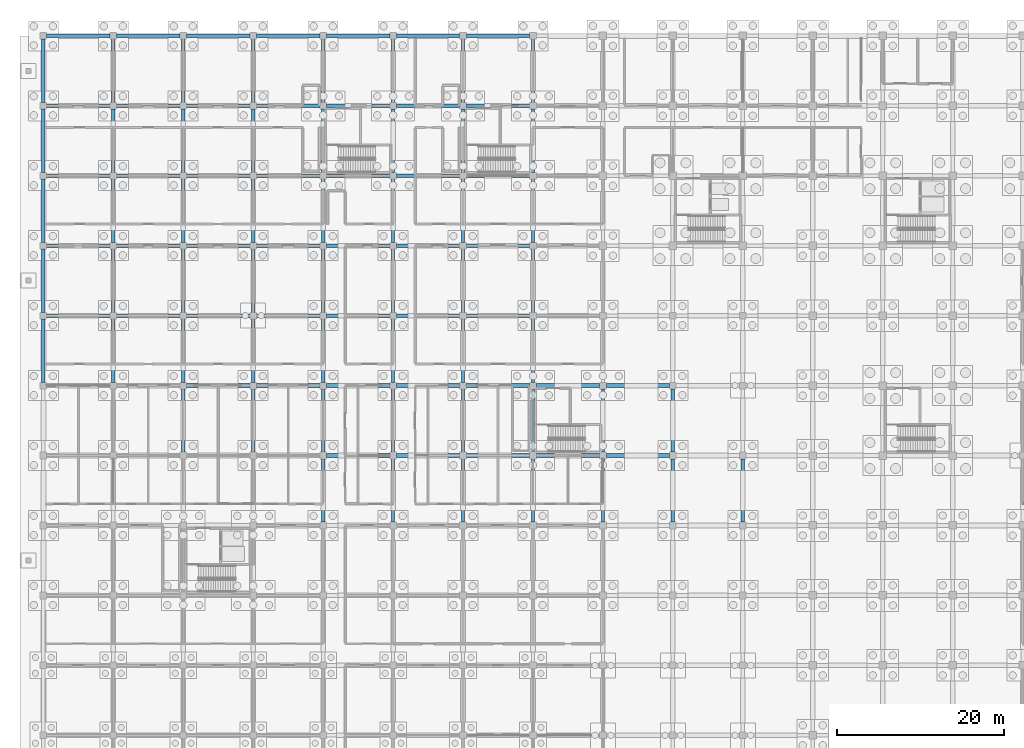
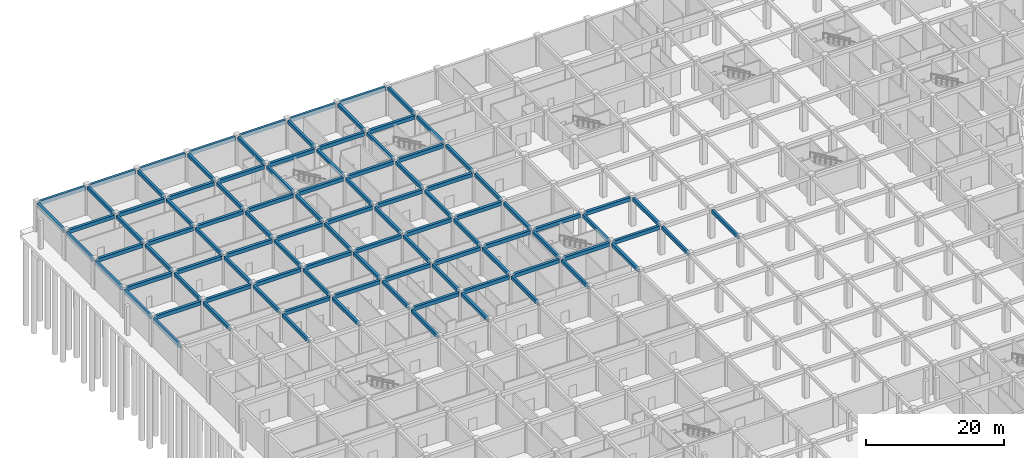
# One storey, part 22 of 65: 102 beams.
"""IFC4 building model written with IfcOpenShell, lengths in metres."""

from ifc_helpers import new_model, si_unit, direction, frame, origin, origin_2d, place, context, subcontext, project, spatial, rectangle, extrude, material, material_profile, profile_set, type_object, element, save


model = new_model("IFC4")

# Units and contexts
model_context = context("Model", 3, precision=1e-05, world=origin(), true_north=direction((0.0, 1.0)))
body_context = subcontext(model_context, "Body", "Model", "MODEL_VIEW")
ifc_project = project(units=[si_unit("LENGTHUNIT", "METRE"), si_unit("AREAUNIT", "SQUARE_METRE"), si_unit("VOLUMEUNIT", "CUBIC_METRE"), si_unit("PLANEANGLEUNIT", "RADIAN"), si_unit("MASSUNIT", "GRAM", prefix="KILO")], contexts=[model_context])

# Site, building, storey
site_placement = place(None, origin())
site = spatial("IfcSite", under=ifc_project, at=site_placement, CompositionType="ELEMENT")
building_placement = place(site_placement, origin())
building = spatial("IfcBuilding", under=site, at=building_placement, Name="Bramfleet General Hospital", CompositionType="ELEMENT")
storey_placement = place(building_placement, frame((0.0, 0.0, -5.39990234375)))
storey = spatial("IfcBuildingStorey", under=building, at=storey_placement, Name="B1", CompositionType="ELEMENT", Elevation=-5.39990234375)

# Beams
ifc_material = material(Name="Concrete C35/45", Category="concrete")
ifc_material_profile_1 = material_profile(ifc_material, rectangle(XDim=0.39990234375, YDim=0.60009765625, at=origin_2d()), Name="RC BM 600x400")
ifc_profile_set_1 = profile_set([ifc_material_profile_1], Name="Concrete C35/45")
beam_type_1 = type_object("IfcBeamType", Name="BM-RC600", PredefinedType="BEAM", material=ifc_profile_set_1)
for number, where, z_axis, x_axis, name in (
    (1, (8.39990234375, 76.0, 4.77978515625), (0.0, 1.0, 0.0), (-1.0, 0.0, 0.0), "B1 Grid Beam Y 01-09"),
    (2, (8.39990234375, 84.39990234375, 4.77978515625), (0.0, 1.0, 0.0), (-1.0, 0.0, 0.0), "B1 Grid Beam Y 01-10"),
):
    element("IfcBeam", number, at=place(storey_placement, frame(where, z_axis=z_axis, x_axis=x_axis)), inside=storey, type_object=beam_type_1, Name=name, PredefinedType="BEAM", context=body_context, shape_type="SweptSolid", body=[
        extrude(rectangle(XDim=0.39990234375, YDim=0.60009765625, at=origin_2d()), origin(), (0.0, 0.0, 1.0), 7.60009765625),
    ])
beam_1_placement = place(storey_placement, frame((8.39990234375, 92.800048828125, 4.77978515625), z_axis=(0.0, 1.0, 0.0), x_axis=(-1.0, 0.0, 0.0)))
element("IfcBeam", 3, at=beam_1_placement, inside=storey, type_object=beam_type_1, Name="B1 Grid Beam Y 01-11", PredefinedType="BEAM", context=body_context, shape_type="SweptSolid", body=[
    extrude(rectangle(XDim=0.39990234375, YDim=0.60009765625, at=origin_2d()), origin(), (0.0, 0.0, 1.0), 7.599853515625),
])
beam_2_placement = place(storey_placement, frame((8.39990234375, 101.199951171875, 4.77978515625), z_axis=(0.0, 1.0, 0.0), x_axis=(-1.0, 0.0, 0.0)))
element("IfcBeam", 4, at=beam_2_placement, inside=storey, type_object=beam_type_1, Name="B1 Grid Beam Y 01-12", PredefinedType="BEAM", context=body_context, shape_type="SweptSolid", body=[
    extrude(rectangle(XDim=0.39990234375, YDim=0.60009765625, at=origin_2d()), origin(), (0.0, 0.0, 1.0), 7.60009765625),
])
for number, where, z_axis, x_axis, name in (
    (5, (8.39990234375, 109.60009765625, 4.77978515625), (0.0, 1.0, 0.0), (-1.0, 0.0, 0.0), "B1 Grid Beam Y 01-13"),
    (6, (16.800048828125, 67.60009765625, 4.77978515625), (0.0, 1.0, 0.0), (-1.0, 0.0, 0.0), "B1 Grid Beam Y 02-08"),
):
    element("IfcBeam", number, at=place(storey_placement, frame(where, z_axis=z_axis, x_axis=x_axis)), inside=storey, type_object=beam_type_1, Name=name, PredefinedType="BEAM", context=body_context, shape_type="SweptSolid", body=[
        extrude(rectangle(XDim=0.39990234375, YDim=0.60009765625, at=origin_2d()), origin(), (0.0, 0.0, 1.0), 7.599853515625),
    ])
for number, where, z_axis, x_axis, name in (
    (7, (16.800048828125, 76.0, 4.77978515625), (0.0, 1.0, 0.0), (-1.0, 0.0, 0.0), "B1 Grid Beam Y 02-09"),
    (8, (16.800048828125, 84.39990234375, 4.77978515625), (0.0, 1.0, 0.0), (-1.0, 0.0, 0.0), "B1 Grid Beam Y 02-10"),
):
    element("IfcBeam", number, at=place(storey_placement, frame(where, z_axis=z_axis, x_axis=x_axis)), inside=storey, type_object=beam_type_1, Name=name, PredefinedType="BEAM", context=body_context, shape_type="SweptSolid", body=[
        extrude(rectangle(XDim=0.39990234375, YDim=0.60009765625, at=origin_2d()), origin(), (0.0, 0.0, 1.0), 7.60009765625),
    ])
beam_3_placement = place(storey_placement, frame((16.800048828125, 92.800048828125, 4.77978515625), z_axis=(0.0, 1.0, 0.0), x_axis=(-1.0, 0.0, 0.0)))
element("IfcBeam", 9, at=beam_3_placement, inside=storey, type_object=beam_type_1, Name="B1 Grid Beam Y 02-11", PredefinedType="BEAM", context=body_context, shape_type="SweptSolid", body=[
    extrude(rectangle(XDim=0.39990234375, YDim=0.60009765625, at=origin_2d()), origin(), (0.0, 0.0, 1.0), 7.599853515625),
])
beam_4_placement = place(storey_placement, frame((16.800048828125, 101.199951171875, 4.77978515625), z_axis=(0.0, 1.0, 0.0), x_axis=(-1.0, 0.0, 0.0)))
element("IfcBeam", 10, at=beam_4_placement, inside=storey, type_object=beam_type_1, Name="B1 Grid Beam Y 02-12", PredefinedType="BEAM", context=body_context, shape_type="SweptSolid", body=[
    extrude(rectangle(XDim=0.39990234375, YDim=0.60009765625, at=origin_2d()), origin(), (0.0, 0.0, 1.0), 7.60009765625),
])
for number, where, z_axis, x_axis, name in (
    (11, (16.800048828125, 109.60009765625, 4.77978515625), (0.0, 1.0, 0.0), (-1.0, 0.0, 0.0), "B1 Grid Beam Y 02-13"),
    (12, (25.199951171875, 67.60009765625, 4.77978515625), (0.0, 1.0, 0.0), (-1.0, 0.0, 0.0), "B1 Grid Beam Y 03-08"),
):
    element("IfcBeam", number, at=place(storey_placement, frame(where, z_axis=z_axis, x_axis=x_axis)), inside=storey, type_object=beam_type_1, Name=name, PredefinedType="BEAM", context=body_context, shape_type="SweptSolid", body=[
        extrude(rectangle(XDim=0.39990234375, YDim=0.60009765625, at=origin_2d()), origin(), (0.0, 0.0, 1.0), 7.599853515625),
    ])
for number, where, z_axis, x_axis, name in (
    (13, (25.199951171875, 76.0, 4.77978515625), (0.0, 1.0, 0.0), (-1.0, 0.0, 0.0), "B1 Grid Beam Y 03-09"),
    (14, (25.199951171875, 84.39990234375, 4.77978515625), (0.0, 1.0, 0.0), (-1.0, 0.0, 0.0), "B1 Grid Beam Y 03-10"),
):
    element("IfcBeam", number, at=place(storey_placement, frame(where, z_axis=z_axis, x_axis=x_axis)), inside=storey, type_object=beam_type_1, Name=name, PredefinedType="BEAM", context=body_context, shape_type="SweptSolid", body=[
        extrude(rectangle(XDim=0.39990234375, YDim=0.60009765625, at=origin_2d()), origin(), (0.0, 0.0, 1.0), 7.60009765625),
    ])
beam_5_placement = place(storey_placement, frame((25.199951171875, 92.800048828125, 4.77978515625), z_axis=(0.0, 1.0, 0.0), x_axis=(-1.0, 0.0, 0.0)))
element("IfcBeam", 15, at=beam_5_placement, inside=storey, type_object=beam_type_1, Name="B1 Grid Beam Y 03-11", PredefinedType="BEAM", context=body_context, shape_type="SweptSolid", body=[
    extrude(rectangle(XDim=0.39990234375, YDim=0.60009765625, at=origin_2d()), origin(), (0.0, 0.0, 1.0), 7.599853515625),
])
beam_6_placement = place(storey_placement, frame((25.199951171875, 101.199951171875, 4.77978515625), z_axis=(0.0, 1.0, 0.0), x_axis=(-1.0, 0.0, 0.0)))
element("IfcBeam", 16, at=beam_6_placement, inside=storey, type_object=beam_type_1, Name="B1 Grid Beam Y 03-12", PredefinedType="BEAM", context=body_context, shape_type="SweptSolid", body=[
    extrude(rectangle(XDim=0.39990234375, YDim=0.60009765625, at=origin_2d()), origin(), (0.0, 0.0, 1.0), 7.60009765625),
])
beam_7_placement = place(storey_placement, frame((25.199951171875, 109.60009765625, 4.77978515625), z_axis=(0.0, 1.0, 0.0), x_axis=(-1.0, 0.0, 0.0)))
element("IfcBeam", 17, at=beam_7_placement, inside=storey, type_object=beam_type_1, Name="B1 Grid Beam Y 03-13", PredefinedType="BEAM", context=body_context, shape_type="SweptSolid", body=[
    extrude(rectangle(XDim=0.39990234375, YDim=0.60009765625, at=origin_2d()), origin(), (0.0, 0.0, 1.0), 7.599853515625),
])
beam_8_placement = place(storey_placement, frame((33.60009765625, 59.199951171875, 4.77978515625), z_axis=(0.0, 1.0, 0.0), x_axis=(-1.0, 0.0, 0.0)))
element("IfcBeam", 18, at=beam_8_placement, inside=storey, type_object=beam_type_1, Name="B1 Grid Beam Y 04-07", PredefinedType="BEAM", context=body_context, shape_type="SweptSolid", body=[
    extrude(rectangle(XDim=0.39990234375, YDim=0.60009765625, at=origin_2d()), origin(), (0.0, 0.0, 1.0), 7.60009765625),
])
beam_9_placement = place(storey_placement, frame((33.60009765625, 67.60009765625, 4.77978515625), z_axis=(0.0, 1.0, 0.0), x_axis=(-1.0, 0.0, 0.0)))
element("IfcBeam", 19, at=beam_9_placement, inside=storey, type_object=beam_type_1, Name="B1 Grid Beam Y 04-08", PredefinedType="BEAM", context=body_context, shape_type="SweptSolid", body=[
    extrude(rectangle(XDim=0.39990234375, YDim=0.60009765625, at=origin_2d()), origin(), (0.0, 0.0, 1.0), 7.599853515625),
])
for number, where, z_axis, x_axis, name in (
    (20, (33.60009765625, 76.0, 4.77978515625), (0.0, 1.0, 0.0), (-1.0, 0.0, 0.0), "B1 Grid Beam Y 04-09"),
    (21, (33.60009765625, 84.39990234375, 4.77978515625), (0.0, 1.0, 0.0), (-1.0, 0.0, 0.0), "B1 Grid Beam Y 04-10"),
):
    element("IfcBeam", number, at=place(storey_placement, frame(where, z_axis=z_axis, x_axis=x_axis)), inside=storey, type_object=beam_type_1, Name=name, PredefinedType="BEAM", context=body_context, shape_type="SweptSolid", body=[
        extrude(rectangle(XDim=0.39990234375, YDim=0.60009765625, at=origin_2d()), origin(), (0.0, 0.0, 1.0), 7.60009765625),
    ])
beam_10_placement = place(storey_placement, frame((33.60009765625, 92.800048828125, 4.77978515625), z_axis=(0.0, 1.0, 0.0), x_axis=(-1.0, 0.0, 0.0)))
element("IfcBeam", 22, at=beam_10_placement, inside=storey, type_object=beam_type_1, Name="B1 Grid Beam Y 04-11", PredefinedType="BEAM", context=body_context, shape_type="SweptSolid", body=[
    extrude(rectangle(XDim=0.39990234375, YDim=0.60009765625, at=origin_2d()), origin(), (0.0, 0.0, 1.0), 7.599853515625),
])
beam_11_placement = place(storey_placement, frame((33.60009765625, 101.199951171875, 4.77978515625), z_axis=(0.0, 1.0, 0.0), x_axis=(-1.0, 0.0, 0.0)))
element("IfcBeam", 23, at=beam_11_placement, inside=storey, type_object=beam_type_1, Name="B1 Grid Beam Y 04-12", PredefinedType="BEAM", context=body_context, shape_type="SweptSolid", body=[
    extrude(rectangle(XDim=0.39990234375, YDim=0.60009765625, at=origin_2d()), origin(), (0.0, 0.0, 1.0), 7.60009765625),
])
beam_12_placement = place(storey_placement, frame((33.60009765625, 109.60009765625, 4.77978515625), z_axis=(0.0, 1.0, 0.0), x_axis=(-1.0, 0.0, 0.0)))
element("IfcBeam", 24, at=beam_12_placement, inside=storey, type_object=beam_type_1, Name="B1 Grid Beam Y 04-13", PredefinedType="BEAM", context=body_context, shape_type="SweptSolid", body=[
    extrude(rectangle(XDim=0.39990234375, YDim=0.60009765625, at=origin_2d()), origin(), (0.0, 0.0, 1.0), 7.599853515625),
])
beam_13_placement = place(storey_placement, frame((42.0, 59.199951171875, 4.77978515625), z_axis=(0.0, 1.0, 0.0), x_axis=(-1.0, 0.0, 0.0)))
element("IfcBeam", 25, at=beam_13_placement, inside=storey, type_object=beam_type_1, Name="B1 Grid Beam Y 05-07", PredefinedType="BEAM", context=body_context, shape_type="SweptSolid", body=[
    extrude(rectangle(XDim=0.39990234375, YDim=0.60009765625, at=origin_2d()), origin(), (0.0, 0.0, 1.0), 7.60009765625),
])
beam_14_placement = place(storey_placement, frame((42.0, 67.60009765625, 4.77978515625), z_axis=(0.0, 1.0, 0.0), x_axis=(-1.0, 0.0, 0.0)))
element("IfcBeam", 26, at=beam_14_placement, inside=storey, type_object=beam_type_1, Name="B1 Grid Beam Y 05-08", PredefinedType="BEAM", context=body_context, shape_type="SweptSolid", body=[
    extrude(rectangle(XDim=0.39990234375, YDim=0.60009765625, at=origin_2d()), origin(), (0.0, 0.0, 1.0), 7.599853515625),
])
for number, where, z_axis, x_axis, name in (
    (27, (42.0, 76.0, 4.77978515625), (0.0, 1.0, 0.0), (-1.0, 0.0, 0.0), "B1 Grid Beam Y 05-09"),
    (28, (42.0, 84.39990234375, 4.77978515625), (0.0, 1.0, 0.0), (-1.0, 0.0, 0.0), "B1 Grid Beam Y 05-10"),
):
    element("IfcBeam", number, at=place(storey_placement, frame(where, z_axis=z_axis, x_axis=x_axis)), inside=storey, type_object=beam_type_1, Name=name, PredefinedType="BEAM", context=body_context, shape_type="SweptSolid", body=[
        extrude(rectangle(XDim=0.39990234375, YDim=0.60009765625, at=origin_2d()), origin(), (0.0, 0.0, 1.0), 7.60009765625),
    ])
beam_15_placement = place(storey_placement, frame((42.0, 92.800048828125, 4.77978515625), z_axis=(0.0, 1.0, 0.0), x_axis=(-1.0, 0.0, 0.0)))
element("IfcBeam", 29, at=beam_15_placement, inside=storey, type_object=beam_type_1, Name="B1 Grid Beam Y 05-11", PredefinedType="BEAM", context=body_context, shape_type="SweptSolid", body=[
    extrude(rectangle(XDim=0.39990234375, YDim=0.60009765625, at=origin_2d()), origin(), (0.0, 0.0, 1.0), 7.599853515625),
])
beam_16_placement = place(storey_placement, frame((42.0, 101.199951171875, 4.77978515625), z_axis=(0.0, 1.0, 0.0), x_axis=(-1.0, 0.0, 0.0)))
element("IfcBeam", 30, at=beam_16_placement, inside=storey, type_object=beam_type_1, Name="B1 Grid Beam Y 05-12", PredefinedType="BEAM", context=body_context, shape_type="SweptSolid", body=[
    extrude(rectangle(XDim=0.39990234375, YDim=0.60009765625, at=origin_2d()), origin(), (0.0, 0.0, 1.0), 7.60009765625),
])
beam_17_placement = place(storey_placement, frame((42.0, 109.60009765625, 4.77978515625), z_axis=(0.0, 1.0, 0.0), x_axis=(-1.0, 0.0, 0.0)))
element("IfcBeam", 31, at=beam_17_placement, inside=storey, type_object=beam_type_1, Name="B1 Grid Beam Y 05-13", PredefinedType="BEAM", context=body_context, shape_type="SweptSolid", body=[
    extrude(rectangle(XDim=0.39990234375, YDim=0.60009765625, at=origin_2d()), origin(), (0.0, 0.0, 1.0), 7.599853515625),
])
beam_18_placement = place(storey_placement, frame((50.39990234375, 59.199951171875, 4.77978515625), z_axis=(0.0, 1.0, 0.0), x_axis=(-1.0, 0.0, 0.0)))
element("IfcBeam", 32, at=beam_18_placement, inside=storey, type_object=beam_type_1, Name="B1 Grid Beam Y 06-07", PredefinedType="BEAM", context=body_context, shape_type="SweptSolid", body=[
    extrude(rectangle(XDim=0.39990234375, YDim=0.60009765625, at=origin_2d()), origin(), (0.0, 0.0, 1.0), 7.60009765625),
])
beam_19_placement = place(storey_placement, frame((50.39990234375, 67.60009765625, 4.77978515625), z_axis=(0.0, 1.0, 0.0), x_axis=(-1.0, 0.0, 0.0)))
element("IfcBeam", 33, at=beam_19_placement, inside=storey, type_object=beam_type_1, Name="B1 Grid Beam Y 06-08", PredefinedType="BEAM", context=body_context, shape_type="SweptSolid", body=[
    extrude(rectangle(XDim=0.39990234375, YDim=0.60009765625, at=origin_2d()), origin(), (0.0, 0.0, 1.0), 7.599853515625),
])
for number, where, z_axis, x_axis, name in (
    (34, (50.39990234375, 76.0, 4.77978515625), (0.0, 1.0, 0.0), (-1.0, 0.0, 0.0), "B1 Grid Beam Y 06-09"),
    (35, (50.39990234375, 84.39990234375, 4.77978515625), (0.0, 1.0, 0.0), (-1.0, 0.0, 0.0), "B1 Grid Beam Y 06-10"),
):
    element("IfcBeam", number, at=place(storey_placement, frame(where, z_axis=z_axis, x_axis=x_axis)), inside=storey, type_object=beam_type_1, Name=name, PredefinedType="BEAM", context=body_context, shape_type="SweptSolid", body=[
        extrude(rectangle(XDim=0.39990234375, YDim=0.60009765625, at=origin_2d()), origin(), (0.0, 0.0, 1.0), 7.60009765625),
    ])
beam_20_placement = place(storey_placement, frame((50.39990234375, 92.800048828125, 4.77978515625), z_axis=(0.0, 1.0, 0.0), x_axis=(-1.0, 0.0, 0.0)))
element("IfcBeam", 36, at=beam_20_placement, inside=storey, type_object=beam_type_1, Name="B1 Grid Beam Y 06-11", PredefinedType="BEAM", context=body_context, shape_type="SweptSolid", body=[
    extrude(rectangle(XDim=0.39990234375, YDim=0.60009765625, at=origin_2d()), origin(), (0.0, 0.0, 1.0), 7.599853515625),
])
beam_21_placement = place(storey_placement, frame((50.39990234375, 101.199951171875, 4.77978515625), z_axis=(0.0, 1.0, 0.0), x_axis=(-1.0, 0.0, 0.0)))
element("IfcBeam", 37, at=beam_21_placement, inside=storey, type_object=beam_type_1, Name="B1 Grid Beam Y 06-12", PredefinedType="BEAM", context=body_context, shape_type="SweptSolid", body=[
    extrude(rectangle(XDim=0.39990234375, YDim=0.60009765625, at=origin_2d()), origin(), (0.0, 0.0, 1.0), 7.60009765625),
])
beam_22_placement = place(storey_placement, frame((50.39990234375, 109.60009765625, 4.77978515625), z_axis=(0.0, 1.0, 0.0), x_axis=(-1.0, 0.0, 0.0)))
element("IfcBeam", 38, at=beam_22_placement, inside=storey, type_object=beam_type_1, Name="B1 Grid Beam Y 06-13", PredefinedType="BEAM", context=body_context, shape_type="SweptSolid", body=[
    extrude(rectangle(XDim=0.39990234375, YDim=0.60009765625, at=origin_2d()), origin(), (0.0, 0.0, 1.0), 7.599853515625),
])
beam_23_placement = place(storey_placement, frame((58.800048828125, 59.199951171875, 4.77978515625), z_axis=(0.0, 1.0, 0.0), x_axis=(-1.0, 0.0, 0.0)))
element("IfcBeam", 39, at=beam_23_placement, inside=storey, type_object=beam_type_1, Name="B1 Grid Beam Y 07-07", PredefinedType="BEAM", context=body_context, shape_type="SweptSolid", body=[
    extrude(rectangle(XDim=0.39990234375, YDim=0.60009765625, at=origin_2d()), origin(), (0.0, 0.0, 1.0), 7.60009765625),
])
beam_24_placement = place(storey_placement, frame((58.800048828125, 67.60009765625, 4.77978515625), z_axis=(0.0, 1.0, 0.0), x_axis=(-1.0, 0.0, 0.0)))
element("IfcBeam", 40, at=beam_24_placement, inside=storey, type_object=beam_type_1, Name="B1 Grid Beam Y 07-08", PredefinedType="BEAM", context=body_context, shape_type="SweptSolid", body=[
    extrude(rectangle(XDim=0.39990234375, YDim=0.60009765625, at=origin_2d()), origin(), (0.0, 0.0, 1.0), 7.599853515625),
])
for number, where, z_axis, x_axis, name in (
    (41, (58.800048828125, 76.0, 4.77978515625), (0.0, 1.0, 0.0), (-1.0, 0.0, 0.0), "B1 Grid Beam Y 07-09"),
    (42, (58.800048828125, 84.39990234375, 4.77978515625), (0.0, 1.0, 0.0), (-1.0, 0.0, 0.0), "B1 Grid Beam Y 07-10"),
):
    element("IfcBeam", number, at=place(storey_placement, frame(where, z_axis=z_axis, x_axis=x_axis)), inside=storey, type_object=beam_type_1, Name=name, PredefinedType="BEAM", context=body_context, shape_type="SweptSolid", body=[
        extrude(rectangle(XDim=0.39990234375, YDim=0.60009765625, at=origin_2d()), origin(), (0.0, 0.0, 1.0), 7.60009765625),
    ])
beam_25_placement = place(storey_placement, frame((58.800048828125, 92.800048828125, 4.77978515625), z_axis=(0.0, 1.0, 0.0), x_axis=(-1.0, 0.0, 0.0)))
element("IfcBeam", 43, at=beam_25_placement, inside=storey, type_object=beam_type_1, Name="B1 Grid Beam Y 07-11", PredefinedType="BEAM", context=body_context, shape_type="SweptSolid", body=[
    extrude(rectangle(XDim=0.39990234375, YDim=0.60009765625, at=origin_2d()), origin(), (0.0, 0.0, 1.0), 7.599853515625),
])
beam_26_placement = place(storey_placement, frame((58.800048828125, 101.199951171875, 4.77978515625), z_axis=(0.0, 1.0, 0.0), x_axis=(-1.0, 0.0, 0.0)))
element("IfcBeam", 44, at=beam_26_placement, inside=storey, type_object=beam_type_1, Name="B1 Grid Beam Y 07-12", PredefinedType="BEAM", context=body_context, shape_type="SweptSolid", body=[
    extrude(rectangle(XDim=0.39990234375, YDim=0.60009765625, at=origin_2d()), origin(), (0.0, 0.0, 1.0), 7.60009765625),
])
beam_27_placement = place(storey_placement, frame((58.800048828125, 109.60009765625, 4.77978515625), z_axis=(0.0, 1.0, 0.0), x_axis=(-1.0, 0.0, 0.0)))
element("IfcBeam", 45, at=beam_27_placement, inside=storey, type_object=beam_type_1, Name="B1 Grid Beam Y 07-13", PredefinedType="BEAM", context=body_context, shape_type="SweptSolid", body=[
    extrude(rectangle(XDim=0.39990234375, YDim=0.60009765625, at=origin_2d()), origin(), (0.0, 0.0, 1.0), 7.599853515625),
])
beam_28_placement = place(storey_placement, frame((67.199951171875, 59.199951171875, 4.77978515625), z_axis=(0.0, 1.0, 0.0), x_axis=(-1.0, 0.0, 0.0)))
element("IfcBeam", 46, at=beam_28_placement, inside=storey, type_object=beam_type_1, Name="B1 Grid Beam Y 08-07", PredefinedType="BEAM", context=body_context, shape_type="SweptSolid", body=[
    extrude(rectangle(XDim=0.39990234375, YDim=0.60009765625, at=origin_2d()), origin(), (0.0, 0.0, 1.0), 7.60009765625),
])
beam_29_placement = place(storey_placement, frame((67.199951171875, 67.60009765625, 4.77978515625), z_axis=(0.0, 1.0, 0.0), x_axis=(-1.0, 0.0, 0.0)))
element("IfcBeam", 47, at=beam_29_placement, inside=storey, type_object=beam_type_1, Name="B1 Grid Beam Y 08-08", PredefinedType="BEAM", context=body_context, shape_type="SweptSolid", body=[
    extrude(rectangle(XDim=0.39990234375, YDim=0.60009765625, at=origin_2d()), origin(), (0.0, 0.0, 1.0), 7.599853515625),
])
beam_30_placement = place(storey_placement, frame((75.60009765625, 59.199951171875, 4.77978515625), z_axis=(0.0, 1.0, 0.0), x_axis=(-1.0, 0.0, 0.0)))
element("IfcBeam", 48, at=beam_30_placement, inside=storey, type_object=beam_type_1, Name="B1 Grid Beam Y 09-07", PredefinedType="BEAM", context=body_context, shape_type="SweptSolid", body=[
    extrude(rectangle(XDim=0.39990234375, YDim=0.60009765625, at=origin_2d()), origin(), (0.0, 0.0, 1.0), 7.60009765625),
])
beam_31_placement = place(storey_placement, frame((75.60009765625, 67.60009765625, 4.77978515625), z_axis=(0.0, 1.0, 0.0), x_axis=(-1.0, 0.0, 0.0)))
element("IfcBeam", 49, at=beam_31_placement, inside=storey, type_object=beam_type_1, Name="B1 Grid Beam Y 09-08", PredefinedType="BEAM", context=body_context, shape_type="SweptSolid", body=[
    extrude(rectangle(XDim=0.39990234375, YDim=0.60009765625, at=origin_2d()), origin(), (0.0, 0.0, 1.0), 7.599853515625),
])
beam_32_placement = place(storey_placement, frame((84.0, 59.199951171875, 4.77978515625), z_axis=(0.0, 1.0, 0.0), x_axis=(-1.0, 0.0, 0.0)))
element("IfcBeam", 50, at=beam_32_placement, inside=storey, type_object=beam_type_1, Name="B1 Grid Beam Y 10-07", PredefinedType="BEAM", context=body_context, shape_type="SweptSolid", body=[
    extrude(rectangle(XDim=0.39990234375, YDim=0.60009765625, at=origin_2d()), origin(), (0.0, 0.0, 1.0), 7.60009765625),
])
ifc_material_profile_2 = material_profile(ifc_material, rectangle(XDim=0.449951171875, YDim=0.64990234375, at=origin_2d()), Name="RC BM 650x450")
ifc_profile_set_2 = profile_set([ifc_material_profile_2], Name="Concrete C35/45")
beam_type_2 = type_object("IfcBeamType", Name="BM-RC650", PredefinedType="BEAM", material=ifc_profile_set_2)
for number, where, z_axis, x_axis, name in (
    (51, (0.39990234375, 84.0, 4.7548828125), (1.0, 0.0, 0.0), (0.0, 1.0, 0.0), "B1 Grid Beam X 00-10"),
    (52, (0.39990234375, 92.39990234375, 4.7548828125), (1.0, 0.0, 0.0), (0.0, 1.0, 0.0), "B1 Grid Beam X 00-11"),
    (53, (0.39990234375, 100.800048828125, 4.7548828125), (1.0, 0.0, 0.0), (0.0, 1.0, 0.0), "B1 Grid Beam X 00-12"),
    (54, (0.39990234375, 109.199951171875, 4.7548828125), (1.0, 0.0, 0.0), (0.0, 1.0, 0.0), "B1 Grid Beam X 00-13"),
):
    element("IfcBeam", number, at=place(storey_placement, frame(where, z_axis=z_axis, x_axis=x_axis)), inside=storey, type_object=beam_type_2, Name=name, PredefinedType="BEAM", context=body_context, shape_type="SweptSolid", body=[
        extrude(rectangle(XDim=0.449951171875, YDim=0.64990234375, at=origin_2d()), origin(), (0.0, 0.0, 1.0), 7.60009765625),
    ])
for number, where, z_axis, x_axis, name in (
    (55, (8.800048828125, 84.0, 4.7548828125), (1.0, 0.0, 0.0), (0.0, 1.0, 0.0), "B1 Grid Beam X 01-10"),
    (56, (8.800048828125, 92.39990234375, 4.7548828125), (1.0, 0.0, 0.0), (0.0, 1.0, 0.0), "B1 Grid Beam X 01-11"),
    (57, (8.800048828125, 100.800048828125, 4.7548828125), (1.0, 0.0, 0.0), (0.0, 1.0, 0.0), "B1 Grid Beam X 01-12"),
    (58, (8.800048828125, 109.199951171875, 4.7548828125), (1.0, 0.0, 0.0), (0.0, 1.0, 0.0), "B1 Grid Beam X 01-13"),
):
    element("IfcBeam", number, at=place(storey_placement, frame(where, z_axis=z_axis, x_axis=x_axis)), inside=storey, type_object=beam_type_2, Name=name, PredefinedType="BEAM", context=body_context, shape_type="SweptSolid", body=[
        extrude(rectangle(XDim=0.449951171875, YDim=0.64990234375, at=origin_2d()), origin(), (0.0, 0.0, 1.0), 7.599853515625),
    ])
for number, where, z_axis, x_axis, name in (
    (59, (17.199951171875, 75.60009765625, 4.7548828125), (1.0, 0.0, 0.0), (0.0, 1.0, 0.0), "B1 Grid Beam X 02-09"),
    (60, (17.199951171875, 84.0, 4.7548828125), (1.0, 0.0, 0.0), (0.0, 1.0, 0.0), "B1 Grid Beam X 02-10"),
    (61, (17.199951171875, 92.39990234375, 4.7548828125), (1.0, 0.0, 0.0), (0.0, 1.0, 0.0), "B1 Grid Beam X 02-11"),
    (62, (17.199951171875, 100.800048828125, 4.7548828125), (1.0, 0.0, 0.0), (0.0, 1.0, 0.0), "B1 Grid Beam X 02-12"),
    (63, (17.199951171875, 109.199951171875, 4.7548828125), (1.0, 0.0, 0.0), (0.0, 1.0, 0.0), "B1 Grid Beam X 02-13"),
):
    element("IfcBeam", number, at=place(storey_placement, frame(where, z_axis=z_axis, x_axis=x_axis)), inside=storey, type_object=beam_type_2, Name=name, PredefinedType="BEAM", context=body_context, shape_type="SweptSolid", body=[
        extrude(rectangle(XDim=0.449951171875, YDim=0.64990234375, at=origin_2d()), origin(), (0.0, 0.0, 1.0), 7.60009765625),
    ])
for number, where, z_axis, x_axis, name in (
    (64, (25.60009765625, 75.60009765625, 4.7548828125), (1.0, 0.0, 0.0), (0.0, 1.0, 0.0), "B1 Grid Beam X 03-09"),
    (65, (25.60009765625, 84.0, 4.7548828125), (1.0, 0.0, 0.0), (0.0, 1.0, 0.0), "B1 Grid Beam X 03-10"),
    (66, (25.60009765625, 92.39990234375, 4.7548828125), (1.0, 0.0, 0.0), (0.0, 1.0, 0.0), "B1 Grid Beam X 03-11"),
    (67, (25.60009765625, 100.800048828125, 4.7548828125), (1.0, 0.0, 0.0), (0.0, 1.0, 0.0), "B1 Grid Beam X 03-12"),
    (68, (25.60009765625, 109.199951171875, 4.7548828125), (1.0, 0.0, 0.0), (0.0, 1.0, 0.0), "B1 Grid Beam X 03-13"),
):
    element("IfcBeam", number, at=place(storey_placement, frame(where, z_axis=z_axis, x_axis=x_axis)), inside=storey, type_object=beam_type_2, Name=name, PredefinedType="BEAM", context=body_context, shape_type="SweptSolid", body=[
        extrude(rectangle(XDim=0.449951171875, YDim=0.64990234375, at=origin_2d()), origin(), (0.0, 0.0, 1.0), 7.599853515625),
    ])
for number, where, z_axis, x_axis, name in (
    (69, (34.0, 67.199951171875, 4.7548828125), (1.0, 0.0, 0.0), (0.0, 1.0, 0.0), "B1 Grid Beam X 04-08"),
    (70, (34.0, 75.60009765625, 4.7548828125), (1.0, 0.0, 0.0), (0.0, 1.0, 0.0), "B1 Grid Beam X 04-09"),
    (71, (34.0, 84.0, 4.7548828125), (1.0, 0.0, 0.0), (0.0, 1.0, 0.0), "B1 Grid Beam X 04-10"),
    (72, (34.0, 92.39990234375, 4.7548828125), (1.0, 0.0, 0.0), (0.0, 1.0, 0.0), "B1 Grid Beam X 04-11"),
    (73, (34.0, 100.800048828125, 4.7548828125), (1.0, 0.0, 0.0), (0.0, 1.0, 0.0), "B1 Grid Beam X 04-12"),
    (74, (34.0, 109.199951171875, 4.7548828125), (1.0, 0.0, 0.0), (0.0, 1.0, 0.0), "B1 Grid Beam X 04-13"),
    (75, (42.39990234375, 67.199951171875, 4.7548828125), (1.0, 0.0, 0.0), (0.0, 1.0, 0.0), "B1 Grid Beam X 05-08"),
    (76, (42.39990234375, 75.60009765625, 4.7548828125), (1.0, 0.0, 0.0), (0.0, 1.0, 0.0), "B1 Grid Beam X 05-09"),
    (77, (42.39990234375, 84.0, 4.7548828125), (1.0, 0.0, 0.0), (0.0, 1.0, 0.0), "B1 Grid Beam X 05-10"),
    (78, (42.39990234375, 92.39990234375, 4.7548828125), (1.0, 0.0, 0.0), (0.0, 1.0, 0.0), "B1 Grid Beam X 05-11"),
    (79, (42.39990234375, 100.800048828125, 4.7548828125), (1.0, 0.0, 0.0), (0.0, 1.0, 0.0), "B1 Grid Beam X 05-12"),
    (80, (42.39990234375, 109.199951171875, 4.7548828125), (1.0, 0.0, 0.0), (0.0, 1.0, 0.0), "B1 Grid Beam X 05-13"),
):
    element("IfcBeam", number, at=place(storey_placement, frame(where, z_axis=z_axis, x_axis=x_axis)), inside=storey, type_object=beam_type_2, Name=name, PredefinedType="BEAM", context=body_context, shape_type="SweptSolid", body=[
        extrude(rectangle(XDim=0.449951171875, YDim=0.64990234375, at=origin_2d()), origin(), (0.0, 0.0, 1.0), 7.60009765625),
    ])
for number, where, z_axis, x_axis, name in (
    (81, (50.800048828125, 67.199951171875, 4.7548828125), (1.0, 0.0, 0.0), (0.0, 1.0, 0.0), "B1 Grid Beam X 06-08"),
    (82, (50.800048828125, 75.60009765625, 4.7548828125), (1.0, 0.0, 0.0), (0.0, 1.0, 0.0), "B1 Grid Beam X 06-09"),
    (83, (50.800048828125, 84.0, 4.7548828125), (1.0, 0.0, 0.0), (0.0, 1.0, 0.0), "B1 Grid Beam X 06-10"),
    (84, (50.800048828125, 92.39990234375, 4.7548828125), (1.0, 0.0, 0.0), (0.0, 1.0, 0.0), "B1 Grid Beam X 06-11"),
    (85, (50.800048828125, 100.800048828125, 4.7548828125), (1.0, 0.0, 0.0), (0.0, 1.0, 0.0), "B1 Grid Beam X 06-12"),
    (86, (50.800048828125, 109.199951171875, 4.7548828125), (1.0, 0.0, 0.0), (0.0, 1.0, 0.0), "B1 Grid Beam X 06-13"),
):
    element("IfcBeam", number, at=place(storey_placement, frame(where, z_axis=z_axis, x_axis=x_axis)), inside=storey, type_object=beam_type_2, Name=name, PredefinedType="BEAM", context=body_context, shape_type="SweptSolid", body=[
        extrude(rectangle(XDim=0.449951171875, YDim=0.64990234375, at=origin_2d()), origin(), (0.0, 0.0, 1.0), 7.599853515625),
    ])
for number, where, z_axis, x_axis, name in (
    (87, (59.199951171875, 67.199951171875, 4.7548828125), (1.0, 0.0, 0.0), (0.0, 1.0, 0.0), "B1 Grid Beam X 07-08"),
    (88, (59.199951171875, 75.60009765625, 4.7548828125), (1.0, 0.0, 0.0), (0.0, 1.0, 0.0), "B1 Grid Beam X 07-09"),
):
    element("IfcBeam", number, at=place(storey_placement, frame(where, z_axis=z_axis, x_axis=x_axis)), inside=storey, type_object=beam_type_2, Name=name, PredefinedType="BEAM", context=body_context, shape_type="SweptSolid", body=[
        extrude(rectangle(XDim=0.449951171875, YDim=0.64990234375, at=origin_2d()), origin(), (0.0, 0.0, 1.0), 7.60009765625),
    ])
for number, where, z_axis, x_axis, name in (
    (89, (67.60009765625, 67.199951171875, 4.7548828125), (1.0, 0.0, 0.0), (0.0, 1.0, 0.0), "B1 Grid Beam X 08-08"),
    (90, (67.60009765625, 75.60009765625, 4.7548828125), (1.0, 0.0, 0.0), (0.0, 1.0, 0.0), "B1 Grid Beam X 08-09"),
):
    element("IfcBeam", number, at=place(storey_placement, frame(where, z_axis=z_axis, x_axis=x_axis)), inside=storey, type_object=beam_type_2, Name=name, PredefinedType="BEAM", context=body_context, shape_type="SweptSolid", body=[
        extrude(rectangle(XDim=0.449951171875, YDim=0.64990234375, at=origin_2d()), origin(), (0.0, 0.0, 1.0), 7.599853515625),
    ])
ifc_material_profile_3 = material_profile(ifc_material, rectangle(XDim=0.39990234375, YDim=0.699951171875, at=origin_2d()), Name="RC SP 700x400")
ifc_profile_set_3 = profile_set([ifc_material_profile_3], Name="Concrete C35/45")
beam_type_3 = type_object("IfcBeamType", Name="BM-SP700", PredefinedType="SPANDREL", material=ifc_profile_set_3)
beam_33_placement = place(storey_placement, frame((0.39990234375, 117.60009765625, 4.72998046875), z_axis=(1.0, 0.0, 0.0), x_axis=(0.0, 1.0, 0.0)))
element("IfcBeam", 91, at=beam_33_placement, inside=storey, type_object=beam_type_3, Name="B1 Grid Beam X 00-14", PredefinedType="SPANDREL", context=body_context, shape_type="SweptSolid", body=[
    extrude(rectangle(XDim=0.39990234375, YDim=0.699951171875, at=origin_2d()), origin(), (0.0, 0.0, 1.0), 7.60009765625),
])
beam_34_placement = place(storey_placement, frame((8.800048828125, 117.60009765625, 4.72998046875), z_axis=(1.0, 0.0, 0.0), x_axis=(0.0, 1.0, 0.0)))
element("IfcBeam", 92, at=beam_34_placement, inside=storey, type_object=beam_type_3, Name="B1 Grid Beam X 01-14", PredefinedType="SPANDREL", context=body_context, shape_type="SweptSolid", body=[
    extrude(rectangle(XDim=0.39990234375, YDim=0.699951171875, at=origin_2d()), origin(), (0.0, 0.0, 1.0), 7.599853515625),
])
beam_35_placement = place(storey_placement, frame((17.199951171875, 117.60009765625, 4.72998046875), z_axis=(1.0, 0.0, 0.0), x_axis=(0.0, 1.0, 0.0)))
element("IfcBeam", 93, at=beam_35_placement, inside=storey, type_object=beam_type_3, Name="B1 Grid Beam X 02-14", PredefinedType="SPANDREL", context=body_context, shape_type="SweptSolid", body=[
    extrude(rectangle(XDim=0.39990234375, YDim=0.699951171875, at=origin_2d()), origin(), (0.0, 0.0, 1.0), 7.60009765625),
])
beam_36_placement = place(storey_placement, frame((25.60009765625, 117.60009765625, 4.72998046875), z_axis=(1.0, 0.0, 0.0), x_axis=(0.0, 1.0, 0.0)))
element("IfcBeam", 94, at=beam_36_placement, inside=storey, type_object=beam_type_3, Name="B1 Grid Beam X 03-14", PredefinedType="SPANDREL", context=body_context, shape_type="SweptSolid", body=[
    extrude(rectangle(XDim=0.39990234375, YDim=0.699951171875, at=origin_2d()), origin(), (0.0, 0.0, 1.0), 7.599853515625),
])
for number, where, z_axis, x_axis, name in (
    (95, (34.0, 117.60009765625, 4.72998046875), (1.0, 0.0, 0.0), (0.0, 1.0, 0.0), "B1 Grid Beam X 04-14"),
    (96, (42.39990234375, 117.60009765625, 4.72998046875), (1.0, 0.0, 0.0), (0.0, 1.0, 0.0), "B1 Grid Beam X 05-14"),
):
    element("IfcBeam", number, at=place(storey_placement, frame(where, z_axis=z_axis, x_axis=x_axis)), inside=storey, type_object=beam_type_3, Name=name, PredefinedType="SPANDREL", context=body_context, shape_type="SweptSolid", body=[
        extrude(rectangle(XDim=0.39990234375, YDim=0.699951171875, at=origin_2d()), origin(), (0.0, 0.0, 1.0), 7.60009765625),
    ])
beam_37_placement = place(storey_placement, frame((50.800048828125, 117.60009765625, 4.72998046875), z_axis=(1.0, 0.0, 0.0), x_axis=(0.0, 1.0, 0.0)))
element("IfcBeam", 97, at=beam_37_placement, inside=storey, type_object=beam_type_3, Name="B1 Grid Beam X 06-14", PredefinedType="SPANDREL", context=body_context, shape_type="SweptSolid", body=[
    extrude(rectangle(XDim=0.39990234375, YDim=0.699951171875, at=origin_2d()), origin(), (0.0, 0.0, 1.0), 7.599853515625),
])
for number, where, z_axis, x_axis, name in (
    (98, (0.0, 76.0, 4.72998046875), (0.0, 1.0, 0.0), (-1.0, 0.0, 0.0), "B1 Grid Beam Y 00-09"),
    (99, (0.0, 84.39990234375, 4.72998046875), (0.0, 1.0, 0.0), (-1.0, 0.0, 0.0), "B1 Grid Beam Y 00-10"),
):
    element("IfcBeam", number, at=place(storey_placement, frame(where, z_axis=z_axis, x_axis=x_axis)), inside=storey, type_object=beam_type_3, Name=name, PredefinedType="SPANDREL", context=body_context, shape_type="SweptSolid", body=[
        extrude(rectangle(XDim=0.39990234375, YDim=0.699951171875, at=origin_2d()), origin(), (0.0, 0.0, 1.0), 7.60009765625),
    ])
beam_38_placement = place(storey_placement, frame((0.0, 92.800048828125, 4.72998046875), z_axis=(0.0, 1.0, 0.0), x_axis=(-1.0, 0.0, 0.0)))
element("IfcBeam", 100, at=beam_38_placement, inside=storey, type_object=beam_type_3, Name="B1 Grid Beam Y 00-11", PredefinedType="SPANDREL", context=body_context, shape_type="SweptSolid", body=[
    extrude(rectangle(XDim=0.39990234375, YDim=0.699951171875, at=origin_2d()), origin(), (0.0, 0.0, 1.0), 7.599853515625),
])
beam_39_placement = place(storey_placement, frame((0.0, 101.199951171875, 4.72998046875), z_axis=(0.0, 1.0, 0.0), x_axis=(-1.0, 0.0, 0.0)))
element("IfcBeam", 101, at=beam_39_placement, inside=storey, type_object=beam_type_3, Name="B1 Grid Beam Y 00-12", PredefinedType="SPANDREL", context=body_context, shape_type="SweptSolid", body=[
    extrude(rectangle(XDim=0.39990234375, YDim=0.699951171875, at=origin_2d()), origin(), (0.0, 0.0, 1.0), 7.60009765625),
])
beam_40_placement = place(storey_placement, frame((0.0, 109.60009765625, 4.72998046875), z_axis=(0.0, 1.0, 0.0), x_axis=(-1.0, 0.0, 0.0)))
element("IfcBeam", 102, at=beam_40_placement, inside=storey, type_object=beam_type_3, Name="B1 Grid Beam Y 00-13", PredefinedType="SPANDREL", context=body_context, shape_type="SweptSolid", body=[
    extrude(rectangle(XDim=0.39990234375, YDim=0.699951171875, at=origin_2d()), origin(), (0.0, 0.0, 1.0), 7.599853515625),
])

save(model, "model.ifc")
